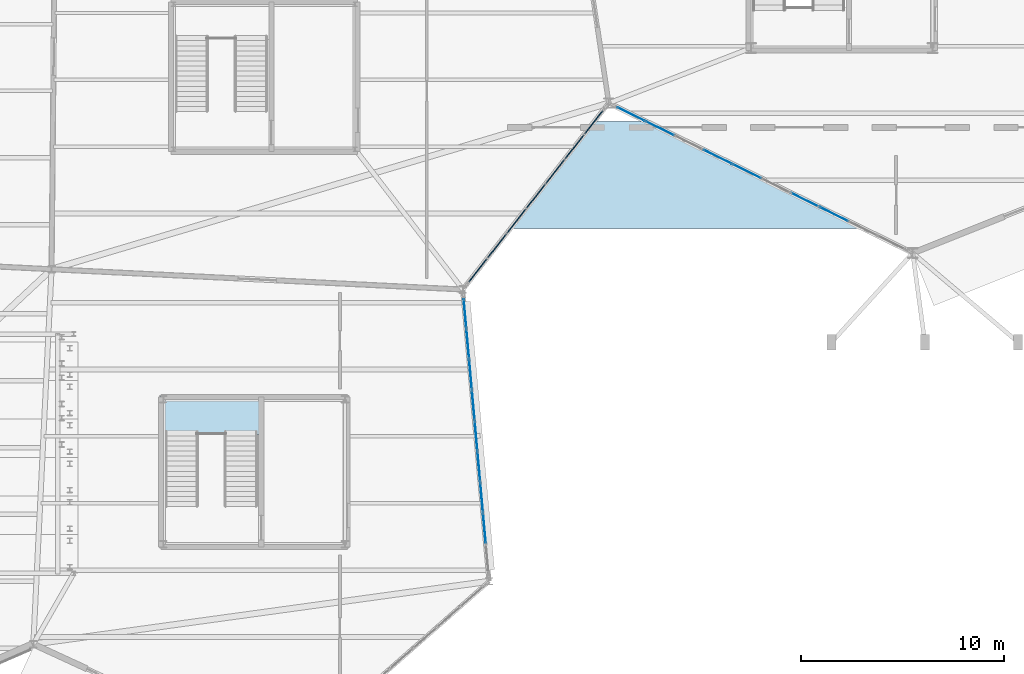
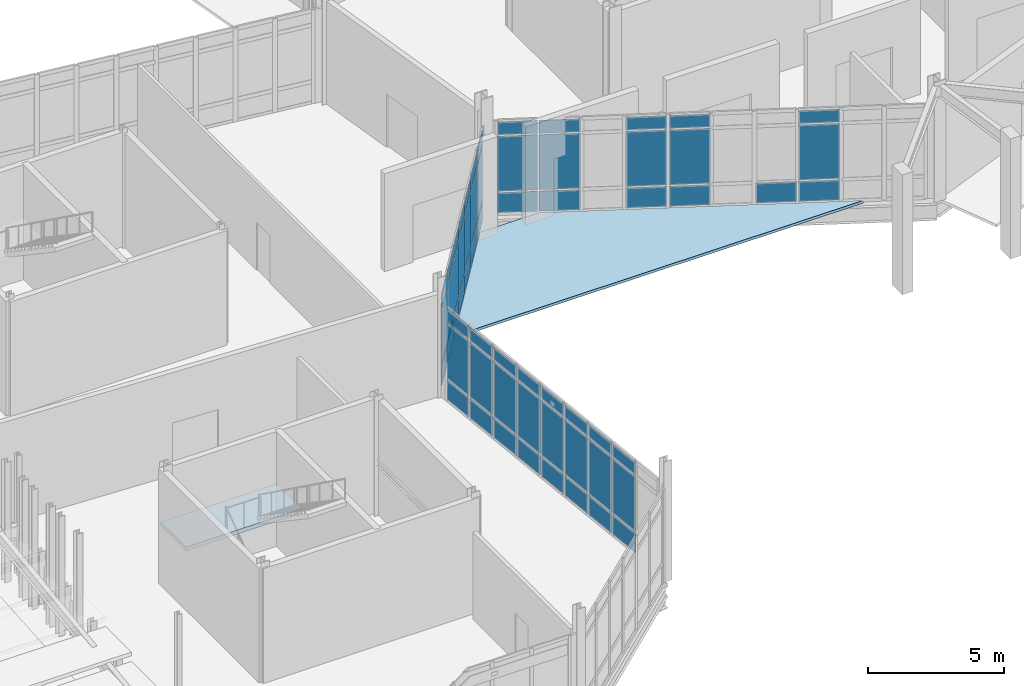
# One storey, part 69 of 113: 61 plates, 2 slabs, 4 elements without a shape of their own.
"""IFC4 building model written with IfcOpenShell, lengths in metres."""

from ifc_helpers import new_model, si_unit, direction, frame, origin, origin_2d, place, context, subcontext, project, spatial, polyline, rectangle, outline, extrude, material, layer, layer_set, type_object, element, aggregate, save


model = new_model("IFC4")

# Units and contexts
model_context = context("Model", 3, precision=1e-05, world=origin(), true_north=direction((0.0, 1.0)))
body_context = subcontext(model_context, "Body", "Model", "MODEL_VIEW")
ifc_project = project(units=[si_unit("LENGTHUNIT", "METRE"), si_unit("AREAUNIT", "SQUARE_METRE"), si_unit("VOLUMEUNIT", "CUBIC_METRE"), si_unit("PLANEANGLEUNIT", "RADIAN"), si_unit("MASSUNIT", "GRAM", prefix="KILO")], contexts=[model_context])

# Site, building, storey
site_placement = place(None, origin())
site = spatial("IfcSite", under=ifc_project, at=site_placement, CompositionType="ELEMENT")
building_placement = place(site_placement, origin())
building = spatial("IfcBuilding", under=site, at=building_placement, Name="Tameran Prism Museum", CompositionType="ELEMENT")
storey_placement = place(building_placement, origin())
storey = spatial("IfcBuildingStorey", under=building, at=storey_placement, Name="L00", CompositionType="ELEMENT", Elevation=0.0)

# Curtain wall, plates
ifc_material_1 = material(Name="Anodised Aluminium 6063-T6 and Cyclone Solar Glass", Category="aluminium")
curtain_wall_type_1 = type_object("IfcCurtainWallType", Name="CW-FAC-1370x422", PredefinedType="USERDEFINED", material=ifc_material_1)
curtain_wall_1_placement = place(storey_placement, origin())
curtain_wall_1 = element("IfcCurtainWall", 1, at=curtain_wall_1_placement, inside=storey, type_object=curtain_wall_type_1, Name="Unitised Curtain Wall CW-045", ObjectType="UNITISED CURTAIN WALL", PredefinedType="USERDEFINED")
ifc_material_2 = material(Name="Low-E Laminated Solar Glass", Category="glass")
ifc_layer_1 = layer(ifc_material_2, 0.028076171875)
ifc_layer_set_1 = layer_set([ifc_layer_1])
plate_type_1 = type_object("IfcPlateType", Name="CW-PNL-G28", PredefinedType="CURTAIN_PANEL", material=ifc_layer_set_1)
plate_1_placement = place(storey_placement, frame((43.90625, 19.814453125, 0.0751953125), z_axis=(0.0, 0.0, 1.0), x_axis=(0.090015719474, -0.995940344723, 0.0)))
plate_1 = element("IfcPlate", 2, at=plate_1_placement, type_object=plate_type_1, Name="CW-045 panel 1.1", PredefinedType="CURTAIN_PANEL", context=body_context, shape_type="SweptSolid", body=[
    extrude(rectangle(XDim=1.409423828125, YDim=0.028076171875, at=origin_2d()), origin(), (0.0, 0.0, 1.0), 0.887451171875),
])
plate_2_placement = place(storey_placement, frame((43.90625, 19.814453125, 1.03759765625), z_axis=(0.0, 0.0, 1.0), x_axis=(0.090015719474, -0.995940344723, 0.0)))
plate_2 = element("IfcPlate", 3, at=plate_2_placement, type_object=plate_type_1, Name="CW-045 panel 1.2", PredefinedType="CURTAIN_PANEL", context=body_context, shape_type="SweptSolid", body=[
    extrude(rectangle(XDim=1.409423828125, YDim=0.028076171875, at=origin_2d()), origin(), (0.0, 0.0, 1.0), 2.465087890625),
])
plate_3_placement = place(storey_placement, frame((43.90625, 19.814453125, 3.57763671875), z_axis=(0.0, 0.0, 1.0), x_axis=(0.090015719474, -0.995940344723, 0.0)))
plate_3 = element("IfcPlate", 4, at=plate_3_placement, type_object=plate_type_1, Name="CW-045 panel 1.3", PredefinedType="CURTAIN_PANEL", context=body_context, shape_type="SweptSolid", body=[
    extrude(rectangle(XDim=1.409423828125, YDim=0.028076171875, at=origin_2d()), origin(), (0.0, 0.0, 1.0), 0.5673828125),
])
plate_4_placement = place(storey_placement, frame((44.04150390625, 18.3173828125, 0.0751953125), z_axis=(0.0, 0.0, 1.0), x_axis=(0.090015719474, -0.995940344723, 0.0)))
plate_4 = element("IfcPlate", 5, at=plate_4_placement, type_object=plate_type_1, Name="CW-045 panel 2.1", PredefinedType="CURTAIN_PANEL", context=body_context, shape_type="SweptSolid", body=[
    extrude(rectangle(XDim=1.447021484375, YDim=0.028076171875, at=origin_2d()), origin(), (0.0, 0.0, 1.0), 0.887451171875),
])
plate_5_placement = place(storey_placement, frame((44.04150390625, 18.3173828125, 1.03759765625), z_axis=(0.0, 0.0, 1.0), x_axis=(0.090015719474, -0.995940344723, 0.0)))
plate_5 = element("IfcPlate", 6, at=plate_5_placement, type_object=plate_type_1, Name="CW-045 panel 2.2", PredefinedType="CURTAIN_PANEL", context=body_context, shape_type="SweptSolid", body=[
    extrude(rectangle(XDim=1.447021484375, YDim=0.028076171875, at=origin_2d()), origin(), (0.0, 0.0, 1.0), 2.465087890625),
])
plate_6_placement = place(storey_placement, frame((44.04150390625, 18.3173828125, 3.57763671875), z_axis=(0.0, 0.0, 1.0), x_axis=(0.090015719474, -0.995940344723, 0.0)))
plate_6 = element("IfcPlate", 7, at=plate_6_placement, type_object=plate_type_1, Name="CW-045 panel 2.3", PredefinedType="CURTAIN_PANEL", context=body_context, shape_type="SweptSolid", body=[
    extrude(rectangle(XDim=1.447021484375, YDim=0.028076171875, at=origin_2d()), origin(), (0.0, 0.0, 1.0), 0.5673828125),
])
plate_7_placement = place(storey_placement, frame((44.178466796875, 16.801513671875, 0.0751953125), z_axis=(0.0, 0.0, 1.0), x_axis=(0.090015719474, -0.995940344723, 0.0)))
plate_7 = element("IfcPlate", 8, at=plate_7_placement, type_object=plate_type_1, Name="CW-045 panel 3.1", PredefinedType="CURTAIN_PANEL", context=body_context, shape_type="SweptSolid", body=[
    extrude(rectangle(XDim=1.447021484375, YDim=0.028076171875, at=origin_2d()), origin(), (0.0, 0.0, 1.0), 0.887451171875),
])
plate_8_placement = place(storey_placement, frame((44.178466796875, 16.801513671875, 1.03759765625), z_axis=(0.0, 0.0, 1.0), x_axis=(0.090015719474, -0.995940344723, 0.0)))
plate_8 = element("IfcPlate", 9, at=plate_8_placement, type_object=plate_type_1, Name="CW-045 panel 3.2", PredefinedType="CURTAIN_PANEL", context=body_context, shape_type="SweptSolid", body=[
    extrude(rectangle(XDim=1.447021484375, YDim=0.028076171875, at=origin_2d()), origin(), (0.0, 0.0, 1.0), 2.465087890625),
])
plate_9_placement = place(storey_placement, frame((44.178466796875, 16.801513671875, 3.57763671875), z_axis=(0.0, 0.0, 1.0), x_axis=(0.090015719474, -0.995940344723, 0.0)))
plate_9 = element("IfcPlate", 10, at=plate_9_placement, type_object=plate_type_1, Name="CW-045 panel 3.3", PredefinedType="CURTAIN_PANEL", context=body_context, shape_type="SweptSolid", body=[
    extrude(rectangle(XDim=1.447021484375, YDim=0.028076171875, at=origin_2d()), origin(), (0.0, 0.0, 1.0), 0.5673828125),
])
plate_10_placement = place(storey_placement, frame((44.3154296875, 15.285888671875, 0.0751953125), z_axis=(0.0, 0.0, 1.0), x_axis=(0.090015719474, -0.995940344723, 0.0)))
plate_10 = element("IfcPlate", 11, at=plate_10_placement, type_object=plate_type_1, Name="CW-045 panel 4.1", PredefinedType="CURTAIN_PANEL", context=body_context, shape_type="SweptSolid", body=[
    extrude(rectangle(XDim=1.447021484375, YDim=0.028076171875, at=origin_2d()), origin(), (0.0, 0.0, 1.0), 0.887451171875),
])
plate_11_placement = place(storey_placement, frame((44.3154296875, 15.285888671875, 1.03759765625), z_axis=(0.0, 0.0, 1.0), x_axis=(0.090015719474, -0.995940344723, 0.0)))
plate_11 = element("IfcPlate", 12, at=plate_11_placement, type_object=plate_type_1, Name="CW-045 panel 4.2", PredefinedType="CURTAIN_PANEL", context=body_context, shape_type="SweptSolid", body=[
    extrude(rectangle(XDim=1.447021484375, YDim=0.028076171875, at=origin_2d()), origin(), (0.0, 0.0, 1.0), 2.465087890625),
])
plate_12_placement = place(storey_placement, frame((44.3154296875, 15.285888671875, 3.57763671875), z_axis=(0.0, 0.0, 1.0), x_axis=(0.090015719474, -0.995940344723, 0.0)))
plate_12 = element("IfcPlate", 13, at=plate_12_placement, type_object=plate_type_1, Name="CW-045 panel 4.3", PredefinedType="CURTAIN_PANEL", context=body_context, shape_type="SweptSolid", body=[
    extrude(rectangle(XDim=1.447021484375, YDim=0.028076171875, at=origin_2d()), origin(), (0.0, 0.0, 1.0), 0.5673828125),
])
plate_13_placement = place(storey_placement, frame((44.452392578125, 13.77001953125, 0.0751953125), z_axis=(0.0, 0.0, 1.0), x_axis=(0.090015719474, -0.995940344723, 0.0)))
plate_13 = element("IfcPlate", 14, at=plate_13_placement, type_object=plate_type_1, Name="CW-045 panel 5.1", PredefinedType="CURTAIN_PANEL", context=body_context, shape_type="SweptSolid", body=[
    extrude(rectangle(XDim=1.447021484375, YDim=0.028076171875, at=origin_2d()), origin(), (0.0, 0.0, 1.0), 0.887451171875),
])
plate_14_placement = place(storey_placement, frame((44.452392578125, 13.77001953125, 1.03759765625), z_axis=(0.0, 0.0, 1.0), x_axis=(0.090015719474, -0.995940344723, 0.0)))
plate_14 = element("IfcPlate", 15, at=plate_14_placement, type_object=plate_type_1, Name="CW-045 panel 5.2", PredefinedType="CURTAIN_PANEL", context=body_context, shape_type="SweptSolid", body=[
    extrude(rectangle(XDim=1.447021484375, YDim=0.028076171875, at=origin_2d()), origin(), (0.0, 0.0, 1.0), 2.465087890625),
])
plate_15_placement = place(storey_placement, frame((44.452392578125, 13.77001953125, 3.57763671875), z_axis=(0.0, 0.0, 1.0), x_axis=(0.090015719474, -0.995940344723, 0.0)))
plate_15 = element("IfcPlate", 16, at=plate_15_placement, type_object=plate_type_1, Name="CW-045 panel 5.3", PredefinedType="CURTAIN_PANEL", context=body_context, shape_type="SweptSolid", body=[
    extrude(rectangle(XDim=1.447021484375, YDim=0.028076171875, at=origin_2d()), origin(), (0.0, 0.0, 1.0), 0.5673828125),
])
plate_16_placement = place(storey_placement, frame((44.589599609375, 12.254150390625, 0.0751953125), z_axis=(0.0, 0.0, 1.0), x_axis=(0.090015719474, -0.995940344723, 0.0)))
plate_16 = element("IfcPlate", 17, at=plate_16_placement, type_object=plate_type_1, Name="CW-045 panel 6.1", PredefinedType="CURTAIN_PANEL", context=body_context, shape_type="SweptSolid", body=[
    extrude(rectangle(XDim=1.447021484375, YDim=0.028076171875, at=origin_2d()), origin(), (0.0, 0.0, 1.0), 0.887451171875),
])
plate_17_placement = place(storey_placement, frame((44.589599609375, 12.254150390625, 1.03759765625), z_axis=(0.0, 0.0, 1.0), x_axis=(0.090015719474, -0.995940344723, 0.0)))
plate_17 = element("IfcPlate", 18, at=plate_17_placement, type_object=plate_type_1, Name="CW-045 panel 6.2", PredefinedType="CURTAIN_PANEL", context=body_context, shape_type="SweptSolid", body=[
    extrude(rectangle(XDim=1.447021484375, YDim=0.028076171875, at=origin_2d()), origin(), (0.0, 0.0, 1.0), 2.465087890625),
])
plate_18_placement = place(storey_placement, frame((44.589599609375, 12.254150390625, 3.57763671875), z_axis=(0.0, 0.0, 1.0), x_axis=(0.090015719474, -0.995940344723, 0.0)))
plate_18 = element("IfcPlate", 19, at=plate_18_placement, type_object=plate_type_1, Name="CW-045 panel 6.3", PredefinedType="CURTAIN_PANEL", context=body_context, shape_type="SweptSolid", body=[
    extrude(rectangle(XDim=1.447021484375, YDim=0.028076171875, at=origin_2d()), origin(), (0.0, 0.0, 1.0), 0.5673828125),
])
plate_19_placement = place(storey_placement, frame((44.7265625, 10.738525390625, 0.0751953125), z_axis=(0.0, 0.0, 1.0), x_axis=(0.090015719474, -0.995940344723, 0.0)))
plate_19 = element("IfcPlate", 20, at=plate_19_placement, type_object=plate_type_1, Name="CW-045 panel 7.1", PredefinedType="CURTAIN_PANEL", context=body_context, shape_type="SweptSolid", body=[
    extrude(rectangle(XDim=1.447021484375, YDim=0.028076171875, at=origin_2d()), origin(), (0.0, 0.0, 1.0), 0.887451171875),
])
plate_20_placement = place(storey_placement, frame((44.7265625, 10.738525390625, 1.03759765625), z_axis=(0.0, 0.0, 1.0), x_axis=(0.090015719474, -0.995940344723, 0.0)))
plate_20 = element("IfcPlate", 21, at=plate_20_placement, type_object=plate_type_1, Name="CW-045 panel 7.2", PredefinedType="CURTAIN_PANEL", context=body_context, shape_type="SweptSolid", body=[
    extrude(rectangle(XDim=1.447021484375, YDim=0.028076171875, at=origin_2d()), origin(), (0.0, 0.0, 1.0), 2.465087890625),
])
plate_21_placement = place(storey_placement, frame((44.7265625, 10.738525390625, 3.57763671875), z_axis=(0.0, 0.0, 1.0), x_axis=(0.090015719474, -0.995940344723, 0.0)))
plate_21 = element("IfcPlate", 22, at=plate_21_placement, type_object=plate_type_1, Name="CW-045 panel 7.3", PredefinedType="CURTAIN_PANEL", context=body_context, shape_type="SweptSolid", body=[
    extrude(rectangle(XDim=1.447021484375, YDim=0.028076171875, at=origin_2d()), origin(), (0.0, 0.0, 1.0), 0.5673828125),
])
plate_22_placement = place(storey_placement, frame((44.863525390625, 9.22265625, 0.0751953125), z_axis=(0.0, 0.0, 1.0), x_axis=(0.090015719474, -0.995940344723, 0.0)))
plate_22 = element("IfcPlate", 23, at=plate_22_placement, type_object=plate_type_1, Name="CW-045 panel 8.1", PredefinedType="CURTAIN_PANEL", context=body_context, shape_type="SweptSolid", body=[
    extrude(rectangle(XDim=1.447021484375, YDim=0.028076171875, at=origin_2d()), origin(), (0.0, 0.0, 1.0), 0.887451171875),
])
plate_23_placement = place(storey_placement, frame((44.863525390625, 9.22265625, 1.03759765625), z_axis=(0.0, 0.0, 1.0), x_axis=(0.090015719474, -0.995940344723, 0.0)))
plate_23 = element("IfcPlate", 24, at=plate_23_placement, type_object=plate_type_1, Name="CW-045 panel 8.2", PredefinedType="CURTAIN_PANEL", context=body_context, shape_type="SweptSolid", body=[
    extrude(rectangle(XDim=1.447021484375, YDim=0.028076171875, at=origin_2d()), origin(), (0.0, 0.0, 1.0), 2.465087890625),
])
plate_24_placement = place(storey_placement, frame((44.863525390625, 9.22265625, 3.57763671875), z_axis=(0.0, 0.0, 1.0), x_axis=(0.090015719474, -0.995940344723, 0.0)))
plate_24 = element("IfcPlate", 25, at=plate_24_placement, type_object=plate_type_1, Name="CW-045 panel 8.3", PredefinedType="CURTAIN_PANEL", context=body_context, shape_type="SweptSolid", body=[
    extrude(rectangle(XDim=1.447021484375, YDim=0.028076171875, at=origin_2d()), origin(), (0.0, 0.0, 1.0), 0.5673828125),
])
aggregate(curtain_wall_1, [plate_1, plate_2, plate_3, plate_4, plate_5, plate_6, plate_7, plate_8, plate_9, plate_10, plate_11, plate_12, plate_13, plate_14, plate_15, plate_16, plate_17, plate_18, plate_19, plate_20, plate_21, plate_22, plate_23, plate_24])

ifc_material_3 = material(Name="Anodised Aluminium 6063-T6 and Cyclone Solar Glass", Category="aluminium")
curtain_wall_type_2 = type_object("IfcCurtainWallType", Name="CW-FAC-1597x422", PredefinedType="USERDEFINED", material=ifc_material_3)
curtain_wall_2_placement = place(storey_placement, origin())
curtain_wall_2 = element("IfcCurtainWall", 26, at=curtain_wall_2_placement, inside=storey, type_object=curtain_wall_type_2, Name="Unitised Curtain Wall CW-028", ObjectType="UNITISED CURTAIN WALL", PredefinedType="USERDEFINED")
ifc_material_4 = material(Name="Cyclone Laminated Solar Glass", Category="glass")
ifc_layer_2 = layer(ifc_material_4, 0.031982421875)
ifc_layer_set_2 = layer_set([ifc_layer_2])
plate_type_2 = type_object("IfcPlateType", Name="CW-PNL-G32", PredefinedType="CURTAIN_PANEL", material=ifc_layer_set_2)
plate_25_placement = place(storey_placement, frame((62.1064453125, 24.720703125, 0.070068359375), z_axis=(0.0, 0.0, 1.0), x_axis=(-0.896819470069, 0.442396697666, 0.0)))
plate_25 = element("IfcPlate", 27, at=plate_25_placement, type_object=plate_type_2, Name="CW-028 panel 3.1", PredefinedType="CURTAIN_PANEL", context=body_context, shape_type="SweptSolid", body=[
    extrude(rectangle(XDim=1.526611328125, YDim=0.031982421875, at=origin_2d()), origin(), (0.0, 0.0, 1.0), 0.89501953125),
])
plate_26_placement = place(storey_placement, frame((62.1064453125, 24.720703125, 1.03515625), z_axis=(0.0, 0.0, 1.0), x_axis=(-0.896819470069, 0.442396697666, 0.0)))
plate_26 = element("IfcPlate", 28, at=plate_26_placement, type_object=plate_type_2, Name="CW-028 panel 3.2", PredefinedType="CURTAIN_PANEL", context=body_context, shape_type="SweptSolid", body=[
    extrude(rectangle(XDim=1.526611328125, YDim=0.031982421875, at=origin_2d()), origin(), (0.0, 0.0, 1.0), 2.469970703125),
])
plate_27_placement = place(storey_placement, frame((62.1064453125, 24.720703125, 3.5751953125), z_axis=(0.0, 0.0, 1.0), x_axis=(-0.896819470069, 0.442396697666, 0.0)))
plate_27 = element("IfcPlate", 29, at=plate_27_placement, type_object=plate_type_2, Name="CW-028 panel 3.3", PredefinedType="CURTAIN_PANEL", context=body_context, shape_type="SweptSolid", body=[
    extrude(rectangle(XDim=1.526611328125, YDim=0.031982421875, at=origin_2d()), origin(), (0.0, 0.0, 1.0), 0.574951171875),
])
plate_28_placement = place(storey_placement, frame((60.6748046875, 25.427001953125, 0.070068359375), z_axis=(0.0, 0.0, 1.0), x_axis=(-0.896819470069, 0.442396697666, 0.0)))
plate_28 = element("IfcPlate", 30, at=plate_28_placement, type_object=plate_type_2, Name="CW-028 panel 4.1", PredefinedType="CURTAIN_PANEL", context=body_context, shape_type="SweptSolid", body=[
    extrude(rectangle(XDim=1.526611328125, YDim=0.031982421875, at=origin_2d()), origin(), (0.0, 0.0, 1.0), 0.89501953125),
])
plate_29_placement = place(storey_placement, frame((57.81103515625, 26.839599609375, 0.070068359375), z_axis=(0.0, 0.0, 1.0), x_axis=(-0.896819470069, 0.442396697666, 0.0)))
plate_29 = element("IfcPlate", 31, at=plate_29_placement, type_object=plate_type_2, Name="CW-028 panel 6.1", PredefinedType="CURTAIN_PANEL", context=body_context, shape_type="SweptSolid", body=[
    extrude(rectangle(XDim=1.526611328125, YDim=0.031982421875, at=origin_2d()), origin(), (0.0, 0.0, 1.0), 0.89501953125),
])
plate_30_placement = place(storey_placement, frame((57.81103515625, 26.839599609375, 1.03515625), z_axis=(0.0, 0.0, 1.0), x_axis=(-0.896819470069, 0.442396697666, 0.0)))
plate_30 = element("IfcPlate", 32, at=plate_30_placement, type_object=plate_type_2, Name="CW-028 panel 6.2", PredefinedType="CURTAIN_PANEL", context=body_context, shape_type="SweptSolid", body=[
    extrude(rectangle(XDim=1.526611328125, YDim=0.031982421875, at=origin_2d()), origin(), (0.0, 0.0, 1.0), 2.469970703125),
])
plate_31_placement = place(storey_placement, frame((57.81103515625, 26.839599609375, 3.5751953125), z_axis=(0.0, 0.0, 1.0), x_axis=(-0.896819470069, 0.442396697666, 0.0)))
plate_31 = element("IfcPlate", 33, at=plate_31_placement, type_object=plate_type_2, Name="CW-028 panel 6.3", PredefinedType="CURTAIN_PANEL", context=body_context, shape_type="SweptSolid", body=[
    extrude(rectangle(XDim=1.526611328125, YDim=0.031982421875, at=origin_2d()), origin(), (0.0, 0.0, 1.0), 0.574951171875),
])
plate_32_placement = place(storey_placement, frame((56.37939453125, 27.5458984375, 0.070068359375), z_axis=(0.0, 0.0, 1.0), x_axis=(-0.896819470069, 0.442396697666, 0.0)))
plate_32 = element("IfcPlate", 34, at=plate_32_placement, type_object=plate_type_2, Name="CW-028 panel 7.1", PredefinedType="CURTAIN_PANEL", context=body_context, shape_type="SweptSolid", body=[
    extrude(rectangle(XDim=1.526611328125, YDim=0.031982421875, at=origin_2d()), origin(), (0.0, 0.0, 1.0), 0.89501953125),
])
plate_33_placement = place(storey_placement, frame((56.37939453125, 27.5458984375, 1.03515625), z_axis=(0.0, 0.0, 1.0), x_axis=(-0.896819470069, 0.442396697666, 0.0)))
plate_33 = element("IfcPlate", 35, at=plate_33_placement, type_object=plate_type_2, Name="CW-028 panel 7.2", PredefinedType="CURTAIN_PANEL", context=body_context, shape_type="SweptSolid", body=[
    extrude(rectangle(XDim=1.526611328125, YDim=0.031982421875, at=origin_2d()), origin(), (0.0, 0.0, 1.0), 2.469970703125),
])
plate_34_placement = place(storey_placement, frame((56.37939453125, 27.5458984375, 3.5751953125), z_axis=(0.0, 0.0, 1.0), x_axis=(-0.896819470069, 0.442396697666, 0.0)))
plate_34 = element("IfcPlate", 36, at=plate_34_placement, type_object=plate_type_2, Name="CW-028 panel 7.3", PredefinedType="CURTAIN_PANEL", context=body_context, shape_type="SweptSolid", body=[
    extrude(rectangle(XDim=1.526611328125, YDim=0.031982421875, at=origin_2d()), origin(), (0.0, 0.0, 1.0), 0.574951171875),
])
plate_35_placement = place(storey_placement, frame((53.515625, 28.95849609375, 0.070068359375), z_axis=(0.0, 0.0, 1.0), x_axis=(-0.896819470069, 0.442396697666, 0.0)))
plate_35 = element("IfcPlate", 37, at=plate_35_placement, type_object=plate_type_2, Name="CW-028 panel 9.1", PredefinedType="CURTAIN_PANEL", context=body_context, shape_type="SweptSolid", body=[
    extrude(rectangle(XDim=1.526611328125, YDim=0.031982421875, at=origin_2d()), origin(), (0.0, 0.0, 1.0), 0.89501953125),
])
plate_36_placement = place(storey_placement, frame((53.515625, 28.95849609375, 1.03515625), z_axis=(0.0, 0.0, 1.0), x_axis=(-0.896819470069, 0.442396697666, 0.0)))
plate_36 = element("IfcPlate", 38, at=plate_36_placement, type_object=plate_type_2, Name="CW-028 panel 9.2", PredefinedType="CURTAIN_PANEL", context=body_context, shape_type="SweptSolid", body=[
    extrude(rectangle(XDim=1.526611328125, YDim=0.031982421875, at=origin_2d()), origin(), (0.0, 0.0, 1.0), 2.469970703125),
])
plate_37_placement = place(storey_placement, frame((53.515625, 28.95849609375, 3.5751953125), z_axis=(0.0, 0.0, 1.0), x_axis=(-0.896819470069, 0.442396697666, 0.0)))
plate_37 = element("IfcPlate", 39, at=plate_37_placement, type_object=plate_type_2, Name="CW-028 panel 9.3", PredefinedType="CURTAIN_PANEL", context=body_context, shape_type="SweptSolid", body=[
    extrude(rectangle(XDim=1.526611328125, YDim=0.031982421875, at=origin_2d()), origin(), (0.0, 0.0, 1.0), 0.574951171875),
])
plate_38_placement = place(storey_placement, frame((52.099609375, 29.6572265625, 0.070068359375), z_axis=(0.0, 0.0, 1.0), x_axis=(-0.896819470069, 0.442396697666, 0.0)))
plate_38 = element("IfcPlate", 40, at=plate_38_placement, type_object=plate_type_2, Name="CW-028 panel 10.1", PredefinedType="CURTAIN_PANEL", context=body_context, shape_type="SweptSolid", body=[
    extrude(rectangle(XDim=1.491455078125, YDim=0.031982421875, at=origin_2d()), origin(), (0.0, 0.0, 1.0), 0.89501953125),
])
plate_39_placement = place(storey_placement, frame((52.099609375, 29.6572265625, 1.03515625), z_axis=(0.0, 0.0, 1.0), x_axis=(-0.896819470069, 0.442396697666, 0.0)))
plate_39 = element("IfcPlate", 41, at=plate_39_placement, type_object=plate_type_2, Name="CW-028 panel 10.2", PredefinedType="CURTAIN_PANEL", context=body_context, shape_type="SweptSolid", body=[
    extrude(rectangle(XDim=1.491455078125, YDim=0.031982421875, at=origin_2d()), origin(), (0.0, 0.0, 1.0), 2.469970703125),
])
plate_40_placement = place(storey_placement, frame((52.099609375, 29.6572265625, 3.5751953125), z_axis=(0.0, 0.0, 1.0), x_axis=(-0.896819470069, 0.442396697666, 0.0)))
plate_40 = element("IfcPlate", 42, at=plate_40_placement, type_object=plate_type_2, Name="CW-028 panel 10.3", PredefinedType="CURTAIN_PANEL", context=body_context, shape_type="SweptSolid", body=[
    extrude(rectangle(XDim=1.491455078125, YDim=0.031982421875, at=origin_2d()), origin(), (0.0, 0.0, 1.0), 0.574951171875),
])
aggregate(curtain_wall_2, [plate_25, plate_26, plate_27, plate_28, plate_29, plate_30, plate_31, plate_32, plate_33, plate_34, plate_35, plate_36, plate_37, plate_38, plate_39, plate_40])

ifc_material_5 = material(Name="Anodised Aluminium 6063-T6 and Cyclone Solar Glass", Category="aluminium")
curtain_wall_type_3 = type_object("IfcCurtainWallType", Name="CW-FAC-1086x422", PredefinedType="USERDEFINED", material=ifc_material_5)
curtain_wall_3_placement = place(storey_placement, origin())
curtain_wall_3 = element("IfcCurtainWall", 43, at=curtain_wall_3_placement, inside=storey, type_object=curtain_wall_type_3, Name="Unitised Curtain Wall CW-048", ObjectType="UNITISED CURTAIN WALL", PredefinedType="USERDEFINED")
ifc_material_6 = material(Name="Insulated Aluminium Spandrel Panel", Category="aluminium")
ifc_layer_3 = layer(ifc_material_6, 0.0400390625)
ifc_layer_set_3 = layer_set([ifc_layer_3])
plate_type_3 = type_object("IfcPlateType", Name="CW-PNL-S40", PredefinedType="CURTAIN_PANEL", material=ifc_layer_set_3)
plate_41_placement = place(storey_placement, frame((50.258056640625, 29.252197265625, 0.070068359375), z_axis=(0.0, 0.0, 1.0), x_axis=(-0.616283437245, -0.787524428179, 0.0)))
plate_41 = element("IfcPlate", 44, at=plate_41_placement, type_object=plate_type_3, Name="CW-048 panel 1.1", PredefinedType="CURTAIN_PANEL", context=body_context, shape_type="SweptSolid", body=[
    extrude(rectangle(XDim=1.44677734375, YDim=0.0400390625, at=origin_2d()), origin(), (0.0, 0.0, 1.0), 0.89501953125),
])
plate_42_placement = place(storey_placement, frame((50.258056640625, 29.252197265625, 1.03515625), z_axis=(0.0, 0.0, 1.0), x_axis=(-0.616283437245, -0.787524428179, 0.0)))
plate_42 = element("IfcPlate", 45, at=plate_42_placement, type_object=plate_type_3, Name="CW-048 panel 1.2", PredefinedType="CURTAIN_PANEL", context=body_context, shape_type="SweptSolid", body=[
    extrude(rectangle(XDim=1.44677734375, YDim=0.0400390625, at=origin_2d()), origin(), (0.0, 0.0, 1.0), 2.469970703125),
])
plate_43_placement = place(storey_placement, frame((50.258056640625, 29.252197265625, 3.5751953125), z_axis=(0.0, 0.0, 1.0), x_axis=(-0.616283437245, -0.787524428179, 0.0)))
plate_43 = element("IfcPlate", 46, at=plate_43_placement, type_object=plate_type_3, Name="CW-048 panel 1.3", PredefinedType="CURTAIN_PANEL", context=body_context, shape_type="SweptSolid", body=[
    extrude(rectangle(XDim=1.44677734375, YDim=0.0400390625, at=origin_2d()), origin(), (0.0, 0.0, 1.0), 0.574951171875),
])
plate_44_placement = place(storey_placement, frame((49.3125, 28.0439453125, 0.070068359375), z_axis=(0.0, 0.0, 1.0), x_axis=(-0.616283437245, -0.787524428179, 0.0)))
plate_44 = element("IfcPlate", 47, at=plate_44_placement, type_object=plate_type_3, Name="CW-048 panel 2.1", PredefinedType="CURTAIN_PANEL", context=body_context, shape_type="SweptSolid", body=[
    extrude(rectangle(XDim=1.481689453125, YDim=0.0400390625, at=origin_2d()), origin(), (0.0, 0.0, 1.0), 0.89501953125),
])
plate_45_placement = place(storey_placement, frame((49.3125, 28.0439453125, 1.03515625), z_axis=(0.0, 0.0, 1.0), x_axis=(-0.616283437245, -0.787524428179, 0.0)))
plate_45 = element("IfcPlate", 48, at=plate_45_placement, type_object=plate_type_3, Name="CW-048 panel 2.2", PredefinedType="CURTAIN_PANEL", context=body_context, shape_type="SweptSolid", body=[
    extrude(rectangle(XDim=1.481689453125, YDim=0.0400390625, at=origin_2d()), origin(), (0.0, 0.0, 1.0), 2.469970703125),
])
plate_46_placement = place(storey_placement, frame((49.3125, 28.0439453125, 3.5751953125), z_axis=(0.0, 0.0, 1.0), x_axis=(-0.616283437245, -0.787524428179, 0.0)))
plate_46 = element("IfcPlate", 49, at=plate_46_placement, type_object=plate_type_3, Name="CW-048 panel 2.3", PredefinedType="CURTAIN_PANEL", context=body_context, shape_type="SweptSolid", body=[
    extrude(rectangle(XDim=1.481689453125, YDim=0.0400390625, at=origin_2d()), origin(), (0.0, 0.0, 1.0), 0.574951171875),
])
plate_47_placement = place(storey_placement, frame((48.356201171875, 26.822021484375, 0.070068359375), z_axis=(0.0, 0.0, 1.0), x_axis=(-0.616283437245, -0.787524428179, 0.0)))
plate_47 = element("IfcPlate", 50, at=plate_47_placement, type_object=plate_type_3, Name="CW-048 panel 3.1", PredefinedType="CURTAIN_PANEL", context=body_context, shape_type="SweptSolid", body=[
    extrude(rectangle(XDim=1.481689453125, YDim=0.0400390625, at=origin_2d()), origin(), (0.0, 0.0, 1.0), 0.89501953125),
])
plate_48_placement = place(storey_placement, frame((48.356201171875, 26.822021484375, 1.03515625), z_axis=(0.0, 0.0, 1.0), x_axis=(-0.616283437245, -0.787524428179, 0.0)))
plate_48 = element("IfcPlate", 51, at=plate_48_placement, type_object=plate_type_3, Name="CW-048 panel 3.2", PredefinedType="CURTAIN_PANEL", context=body_context, shape_type="SweptSolid", body=[
    extrude(rectangle(XDim=1.481689453125, YDim=0.0400390625, at=origin_2d()), origin(), (0.0, 0.0, 1.0), 2.469970703125),
])
plate_49_placement = place(storey_placement, frame((48.356201171875, 26.822021484375, 3.5751953125), z_axis=(0.0, 0.0, 1.0), x_axis=(-0.616283437245, -0.787524428179, 0.0)))
plate_49 = element("IfcPlate", 52, at=plate_49_placement, type_object=plate_type_3, Name="CW-048 panel 3.3", PredefinedType="CURTAIN_PANEL", context=body_context, shape_type="SweptSolid", body=[
    extrude(rectangle(XDim=1.481689453125, YDim=0.0400390625, at=origin_2d()), origin(), (0.0, 0.0, 1.0), 0.574951171875),
])
plate_50_placement = place(storey_placement, frame((47.39990234375, 25.60009765625, 0.070068359375), z_axis=(0.0, 0.0, 1.0), x_axis=(-0.616283437245, -0.787524428179, 0.0)))
plate_50 = element("IfcPlate", 53, at=plate_50_placement, type_object=plate_type_3, Name="CW-048 panel 4.1", PredefinedType="CURTAIN_PANEL", context=body_context, shape_type="SweptSolid", body=[
    extrude(rectangle(XDim=1.481689453125, YDim=0.0400390625, at=origin_2d()), origin(), (0.0, 0.0, 1.0), 0.89501953125),
])
plate_51_placement = place(storey_placement, frame((47.39990234375, 25.60009765625, 1.03515625), z_axis=(0.0, 0.0, 1.0), x_axis=(-0.616283437245, -0.787524428179, 0.0)))
plate_51 = element("IfcPlate", 54, at=plate_51_placement, type_object=plate_type_3, Name="CW-048 panel 4.2", PredefinedType="CURTAIN_PANEL", context=body_context, shape_type="SweptSolid", body=[
    extrude(rectangle(XDim=1.481689453125, YDim=0.0400390625, at=origin_2d()), origin(), (0.0, 0.0, 1.0), 2.469970703125),
])
plate_52_placement = place(storey_placement, frame((47.39990234375, 25.60009765625, 3.5751953125), z_axis=(0.0, 0.0, 1.0), x_axis=(-0.616283437245, -0.787524428179, 0.0)))
plate_52 = element("IfcPlate", 55, at=plate_52_placement, type_object=plate_type_3, Name="CW-048 panel 4.3", PredefinedType="CURTAIN_PANEL", context=body_context, shape_type="SweptSolid", body=[
    extrude(rectangle(XDim=1.481689453125, YDim=0.0400390625, at=origin_2d()), origin(), (0.0, 0.0, 1.0), 0.574951171875),
])
plate_53_placement = place(storey_placement, frame((46.443603515625, 24.3779296875, 0.070068359375), z_axis=(0.0, 0.0, 1.0), x_axis=(-0.616283437245, -0.787524428179, 0.0)))
plate_53 = element("IfcPlate", 56, at=plate_53_placement, type_object=plate_type_3, Name="CW-048 panel 5.1", PredefinedType="CURTAIN_PANEL", context=body_context, shape_type="SweptSolid", body=[
    extrude(rectangle(XDim=1.481689453125, YDim=0.0400390625, at=origin_2d()), origin(), (0.0, 0.0, 1.0), 0.89501953125),
])
plate_54_placement = place(storey_placement, frame((46.443603515625, 24.3779296875, 1.03515625), z_axis=(0.0, 0.0, 1.0), x_axis=(-0.616283437245, -0.787524428179, 0.0)))
plate_54 = element("IfcPlate", 57, at=plate_54_placement, type_object=plate_type_3, Name="CW-048 panel 5.2", PredefinedType="CURTAIN_PANEL", context=body_context, shape_type="SweptSolid", body=[
    extrude(rectangle(XDim=1.481689453125, YDim=0.0400390625, at=origin_2d()), origin(), (0.0, 0.0, 1.0), 2.469970703125),
])
plate_55_placement = place(storey_placement, frame((46.443603515625, 24.3779296875, 3.5751953125), z_axis=(0.0, 0.0, 1.0), x_axis=(-0.616283437245, -0.787524428179, 0.0)))
plate_55 = element("IfcPlate", 58, at=plate_55_placement, type_object=plate_type_3, Name="CW-048 panel 5.3", PredefinedType="CURTAIN_PANEL", context=body_context, shape_type="SweptSolid", body=[
    extrude(rectangle(XDim=1.481689453125, YDim=0.0400390625, at=origin_2d()), origin(), (0.0, 0.0, 1.0), 0.574951171875),
])
plate_56_placement = place(storey_placement, frame((45.487548828125, 23.156005859375, 0.070068359375), z_axis=(0.0, 0.0, 1.0), x_axis=(-0.616283437245, -0.787524428179, 0.0)))
plate_56 = element("IfcPlate", 59, at=plate_56_placement, type_object=plate_type_3, Name="CW-048 panel 6.1", PredefinedType="CURTAIN_PANEL", context=body_context, shape_type="SweptSolid", body=[
    extrude(rectangle(XDim=1.481689453125, YDim=0.0400390625, at=origin_2d()), origin(), (0.0, 0.0, 1.0), 0.89501953125),
])
plate_57_placement = place(storey_placement, frame((45.487548828125, 23.156005859375, 1.03515625), z_axis=(0.0, 0.0, 1.0), x_axis=(-0.616283437245, -0.787524428179, 0.0)))
plate_57 = element("IfcPlate", 60, at=plate_57_placement, type_object=plate_type_3, Name="CW-048 panel 6.2", PredefinedType="CURTAIN_PANEL", context=body_context, shape_type="SweptSolid", body=[
    extrude(rectangle(XDim=1.481689453125, YDim=0.0400390625, at=origin_2d()), origin(), (0.0, 0.0, 1.0), 2.469970703125),
])
plate_58_placement = place(storey_placement, frame((45.487548828125, 23.156005859375, 3.5751953125), z_axis=(0.0, 0.0, 1.0), x_axis=(-0.616283437245, -0.787524428179, 0.0)))
plate_58 = element("IfcPlate", 61, at=plate_58_placement, type_object=plate_type_3, Name="CW-048 panel 6.3", PredefinedType="CURTAIN_PANEL", context=body_context, shape_type="SweptSolid", body=[
    extrude(rectangle(XDim=1.481689453125, YDim=0.0400390625, at=origin_2d()), origin(), (0.0, 0.0, 1.0), 0.574951171875),
])
plate_59_placement = place(storey_placement, frame((44.5419921875, 21.94775390625, 0.070068359375), z_axis=(0.0, 0.0, 1.0), x_axis=(-0.616283437245, -0.787524428179, 0.0)))
plate_59 = element("IfcPlate", 62, at=plate_59_placement, type_object=plate_type_3, Name="CW-048 panel 7.1", PredefinedType="CURTAIN_PANEL", context=body_context, shape_type="SweptSolid", body=[
    extrude(rectangle(XDim=1.44677734375, YDim=0.0400390625, at=origin_2d()), origin(), (0.0, 0.0, 1.0), 0.89501953125),
])
plate_60_placement = place(storey_placement, frame((44.5419921875, 21.94775390625, 1.03515625), z_axis=(0.0, 0.0, 1.0), x_axis=(-0.616283437245, -0.787524428179, 0.0)))
plate_60 = element("IfcPlate", 63, at=plate_60_placement, type_object=plate_type_3, Name="CW-048 panel 7.2", PredefinedType="CURTAIN_PANEL", context=body_context, shape_type="SweptSolid", body=[
    extrude(rectangle(XDim=1.44677734375, YDim=0.0400390625, at=origin_2d()), origin(), (0.0, 0.0, 1.0), 2.469970703125),
])
plate_61_placement = place(storey_placement, frame((44.5419921875, 21.94775390625, 3.5751953125), z_axis=(0.0, 0.0, 1.0), x_axis=(-0.616283437245, -0.787524428179, 0.0)))
plate_61 = element("IfcPlate", 64, at=plate_61_placement, type_object=plate_type_3, Name="CW-048 panel 7.3", PredefinedType="CURTAIN_PANEL", context=body_context, shape_type="SweptSolid", body=[
    extrude(rectangle(XDim=1.44677734375, YDim=0.0400390625, at=origin_2d()), origin(), (0.0, 0.0, 1.0), 0.574951171875),
])
aggregate(curtain_wall_3, [plate_41, plate_42, plate_43, plate_44, plate_45, plate_46, plate_47, plate_48, plate_49, plate_50, plate_51, plate_52, plate_53, plate_54, plate_55, plate_56, plate_57, plate_58, plate_59, plate_60, plate_61])

# Stair, slab
ifc_material_7 = material(Name="Concrete N40 (40 MPa)", Category="concrete")
stair_type = type_object("IfcStairType", Name="ST-CORE-54", PredefinedType="HALF_TURN_STAIR", material=ifc_material_7)
stair_placement = place(storey_placement, origin())
stair = element("IfcStair", 65, at=stair_placement, inside=storey, type_object=stair_type, Name="Fire-Isolated Stair ST-06-L00", PredefinedType="HALF_TURN_STAIR")
ifc_material_8 = material(Name="Concrete N40 (40 MPa)", Category="concrete")
ifc_layer_4 = layer(ifc_material_8, 0.18505859375)
ifc_layer_set_4 = layer_set([ifc_layer_4])
slab_type_1 = type_object("IfcSlabType", Name="SL-LND-185", PredefinedType="LANDING", material=ifc_layer_set_4)
slab_1_placement = place(storey_placement, frame((0.0, 0.0, 2.514892578125)))
slab_1 = element("IfcSlab", 66, at=slab_1_placement, type_object=slab_type_1, Name="ST-06-L00 landing 1", PredefinedType="LANDING", context=body_context, shape_type="SweptSolid", body=[
    extrude(outline(polyline([(28.8798828125, 13.85009765625), (33.8701171875, 13.85009765625), (33.8701171875, 15.719970703125), (28.8798828125, 15.719970703125), (28.8798828125, 13.85009765625)])), origin(), (0.0, 0.0, 1.0), 0.18505859375),
])
aggregate(stair, [slab_1])

# Slab
ifc_material_9 = material(Name="Concrete N32 (32 MPa)", Category="concrete")
ifc_layer_5 = layer(ifc_material_9, 0.1201171875)
ifc_layer_set_5 = layer_set([ifc_layer_5])
slab_type_2 = type_object("IfcSlabType", Name="SL-PAV-120", PredefinedType="USERDEFINED", material=ifc_layer_set_5)
slab_2_placement = place(storey_placement, frame((0.0, 0.0, -0.1201171875)))
element("IfcSlab", 67, at=slab_2_placement, inside=storey, type_object=slab_type_2, Name="Exterior Forecourt Paving Slab AP-02", ObjectType="PAVING", PredefinedType="USERDEFINED", context=body_context, shape_type="SweptSolid", body=[
    extrude(outline(polyline([(63.0, 24.0), (57.800048828125, 24.0), (57.0, 24.0), (51.800048828125, 24.0), (51.0, 24.0), (46.14794921875, 24.0), (50.2958984375, 29.300048828125), (51.0, 29.300048828125), (51.800048828125, 29.300048828125), (52.823974609375, 29.300048828125), (63.568115234375, 24.0), (63.0, 24.0)])), origin(), (0.0, 0.0, 1.0), 0.1201171875),
])

save(model, "model.ifc")
